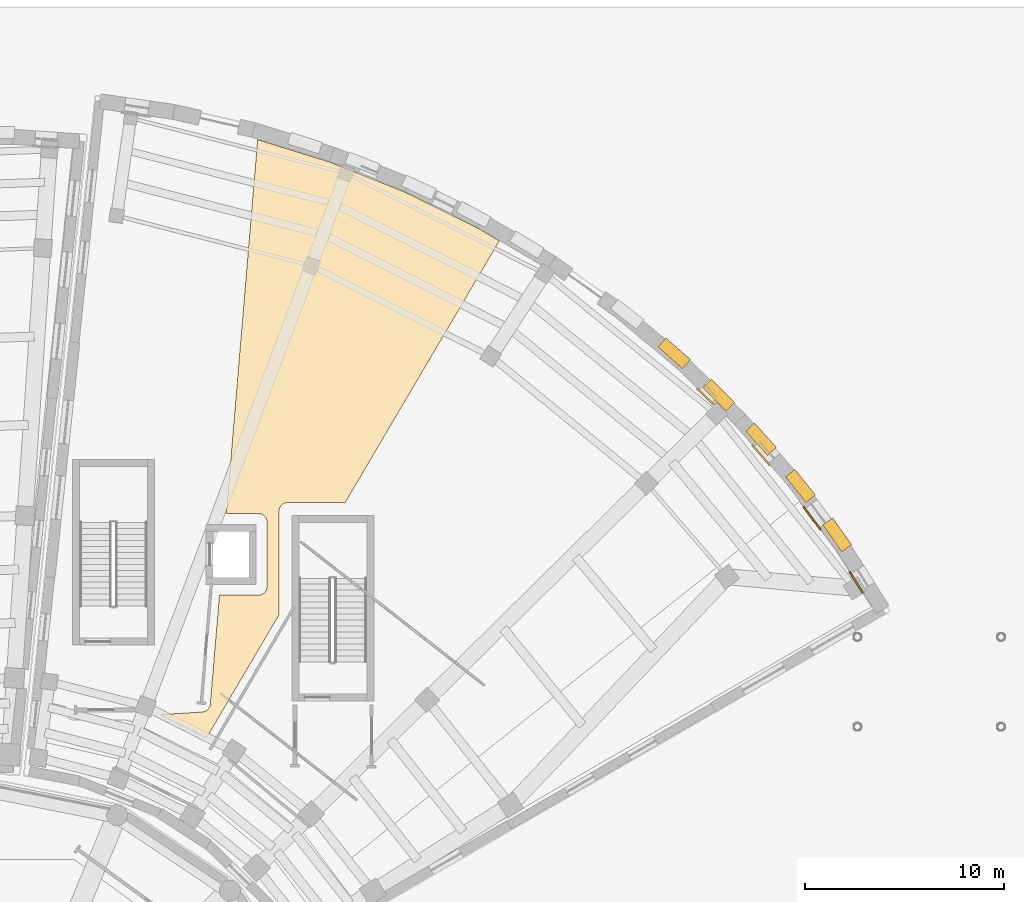
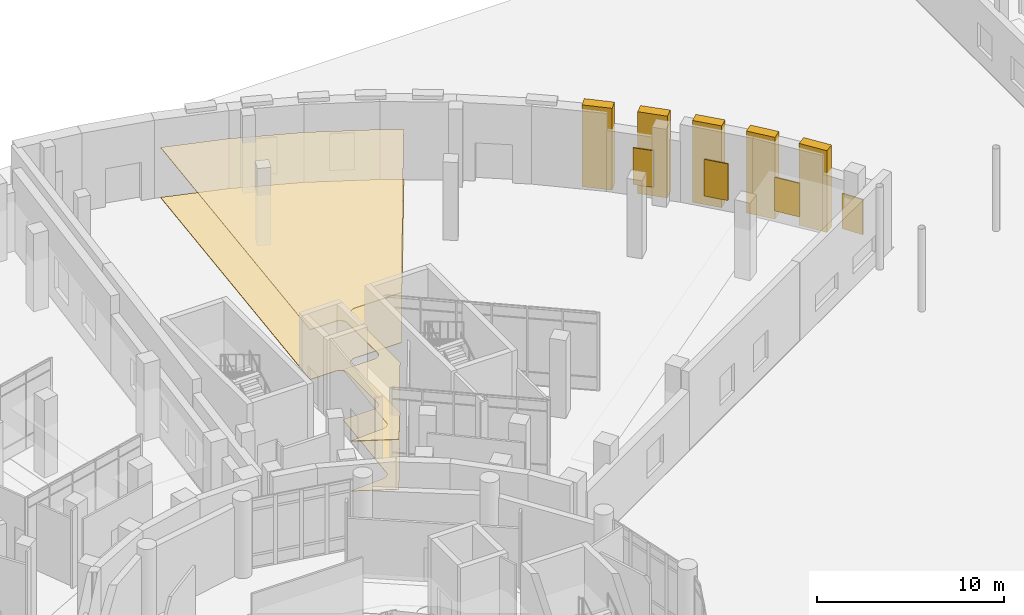
# One storey, part 71 of 74: 11 coverings.
"""IFC4 building model written with IfcOpenShell, lengths in metres."""

from ifc_helpers import new_model, si_unit, direction, frame, origin, origin_2d, place, context, subcontext, project, spatial, polyline, rectangle, outline, extrude, material, layer, layer_set, type_object, element, save


model = new_model("IFC4")

# Units and contexts
model_context = context("Model", 3, precision=1e-05, world=origin(), true_north=direction((0.0, 1.0)))
body_context = subcontext(model_context, "Body", "Model", "MODEL_VIEW")
ifc_project = project(units=[si_unit("LENGTHUNIT", "METRE"), si_unit("AREAUNIT", "SQUARE_METRE"), si_unit("VOLUMEUNIT", "CUBIC_METRE"), si_unit("PLANEANGLEUNIT", "RADIAN"), si_unit("MASSUNIT", "GRAM", prefix="KILO")], contexts=[model_context])

# Site, building, storey
site_placement = place(None, origin())
site = spatial("IfcSite", under=ifc_project, at=site_placement, CompositionType="ELEMENT")
building_placement = place(site_placement, origin())
building = spatial("IfcBuilding", under=site, at=building_placement, Name="Soyqirgoq Riverine Aquarium", CompositionType="ELEMENT")
storey_placement = place(building_placement, origin())
storey = spatial("IfcBuildingStorey", under=building, at=storey_placement, Name="L01", CompositionType="ELEMENT", Elevation=0.0)

# Coverings
ifc_material_1 = material(Name="Perforated mineral-fibre acoustic ceiling", Category="gypsum")
ifc_layer_1 = layer(ifc_material_1, 0.050048828125)
ifc_layer_set_1 = layer_set([ifc_layer_1], Name="Perforated mineral-fibre acoustic ceiling")
covering_type_1 = type_object("IfcCoveringType", Name="AcousticBaffleCeiling_50", PredefinedType="CEILING", material=ifc_layer_set_1)
covering_1_placement = place(storey_placement, frame((0.0, 0.0, 3.25)))
element("IfcCovering", 1, at=covering_1_placement, inside=storey, type_object=covering_type_1, Name="Open Ocean Continental Shelf Hall Suspended Ceiling", PredefinedType="CEILING", context=body_context, shape_type="SweptSolid", body=[
    extrude(outline(polyline([(64.8759765625, 78.16796875), (66.93310546875, 78.2939453125), (66.97607421875, 78.299072265625), (67.01806640625, 78.306884765625), (67.05810546875, 78.320068359375), (67.097900390625, 78.3359375), (67.135986328125, 78.35693359375), (67.1708984375, 78.3798828125), (67.205078125, 78.406982421875), (67.235107421875, 78.43701171875), (67.262939453125, 78.469970703125), (67.287109375, 78.5048828125), (67.30810546875, 78.5419921875), (67.324951171875, 78.5810546875), (67.339111328125, 78.6220703125), (67.347900390625, 78.6630859375), (67.35400390625, 78.7060546875), (67.81103515625, 84.14990234375), (69.75, 84.14990234375), (69.7939453125, 84.152099609375), (69.837890625, 84.158935546875), (69.881103515625, 84.1689453125), (69.922119140625, 84.18408203125), (69.9619140625, 84.202880859375), (70.0, 84.22607421875), (70.034912109375, 84.251953125), (70.068115234375, 84.281982421875), (70.097900390625, 84.31494140625), (70.1240234375, 84.35009765625), (70.14697265625, 84.387939453125), (70.166015625, 84.427978515625), (70.180908203125, 84.468994140625), (70.19091796875, 84.511962890625), (70.197998046875, 84.555908203125), (70.199951171875, 84.60009765625), (70.199951171875, 87.800048828125), (70.197998046875, 87.843994140625), (70.19091796875, 87.887939453125), (70.180908203125, 87.930908203125), (70.166015625, 87.971923828125), (70.14697265625, 88.011962890625), (70.1240234375, 88.050048828125), (70.097900390625, 88.0849609375), (70.068115234375, 88.117919921875), (70.034912109375, 88.14794921875), (70.0, 88.174072265625), (69.9619140625, 88.197021484375), (69.922119140625, 88.216064453125), (69.881103515625, 88.23095703125), (69.837890625, 88.240966796875), (69.7939453125, 88.248046875), (69.75, 88.25), (68.155029296875, 88.25), (69.72705078125, 106.987060546875), (73.30810546875, 105.875), (77.089111328125, 104.366943359375), (80.739990234375, 102.56591796875), (81.840087890625, 101.912109375), (74.116943359375, 88.800048828125), (71.25, 88.800048828125), (71.2060546875, 88.798095703125), (71.162109375, 88.791015625), (71.118896484375, 88.781005859375), (71.077880859375, 88.76611328125), (71.0380859375, 88.7470703125), (71.0, 88.72412109375), (70.965087890625, 88.697998046875), (70.931884765625, 88.66796875), (70.902099609375, 88.635009765625), (70.8759765625, 88.60009765625), (70.85302734375, 88.56201171875), (70.833984375, 88.52197265625), (70.819091796875, 88.48095703125), (70.80908203125, 88.43798828125), (70.802001953125, 88.39404296875), (70.800048828125, 88.35009765625), (70.800048828125, 83.169921875), (67.1650390625, 76.998046875), (64.860107421875, 78.135009765625), (64.8759765625, 78.16796875)])), origin(), (0.0, 0.0, 1.0), 0.050048828125),
])
ifc_material_2 = material(Name="Anodised extruded aluminium sunshade", Category="aluminium")
covering_type_2 = type_object("IfcCoveringType", Name="SolarShadingLouvre_450", PredefinedType="USERDEFINED", material=ifc_material_2)
covering_2_placement = place(storey_placement, frame((92.1591796875, 94.118408203125, 0.75), z_axis=(0.0, 0.0, 1.0), x_axis=(0.716301943425, -0.697790459842, 0.0)))
element("IfcCovering", 2, at=covering_2_placement, inside=storey, type_object=covering_type_2, Name="V5 L01 Travertine Niche Solar Shade 0069", ObjectType="SOLAR_SHADING", PredefinedType="USERDEFINED", context=body_context, shape_type="SweptSolid", body=[
    extrude(rectangle(XDim=1.139892578125, YDim=0.080078125, at=origin_2d()), origin(), (0.0, 0.0, 1.0), 2.39990234375),
])
covering_3_placement = place(storey_placement, frame((94.960205078125, 91.1669921875, 0.75), z_axis=(0.0, 0.0, 1.0), x_axis=(0.6593458151, -0.751839807479, 0.0)))
element("IfcCovering", 3, at=covering_3_placement, inside=storey, type_object=covering_type_2, Name="V5 L01 Travertine Niche Solar Shade 0070", ObjectType="SOLAR_SHADING", PredefinedType="USERDEFINED", context=body_context, shape_type="SweptSolid", body=[
    extrude(rectangle(XDim=1.340087890625, YDim=0.080078125, at=origin_2d()), origin(), (0.0, 0.0, 1.0), 2.39990234375),
])
covering_4_placement = place(storey_placement, frame((97.5205078125, 88.0048828125, 0.75), z_axis=(0.0, 0.0, 1.0), x_axis=(0.598324600571, -0.801253812691, 0.0)))
element("IfcCovering", 4, at=covering_4_placement, inside=storey, type_object=covering_type_2, Name="V5 L01 Travertine Niche Solar Shade 0071", ObjectType="SOLAR_SHADING", PredefinedType="USERDEFINED", context=body_context, shape_type="SweptSolid", body=[
    extrude(rectangle(XDim=1.43994140625, YDim=0.080078125, at=origin_2d()), origin(), (0.0, 0.0, 1.0), 2.199951171875),
])
covering_5_placement = place(storey_placement, frame((99.72900390625, 84.803955078125, 0.75), z_axis=(0.0, 0.0, 1.0), x_axis=(0.533614515916, -0.845727821704, 0.0)))
element("IfcCovering", 5, at=covering_5_placement, inside=storey, type_object=covering_type_2, Name="V5 L01 Travertine Niche Solar Shade 0072", ObjectType="SOLAR_SHADING", PredefinedType="USERDEFINED", context=body_context, shape_type="SweptSolid", body=[
    extrude(rectangle(XDim=1.239990234375, YDim=0.080078125, at=origin_2d()), origin(), (0.0, 0.0, 1.0), 2.300048828125),
])
ifc_material_3 = material(Name="Polished Chirchiq river-pebble terrazzo flooring", Category="concrete")
ifc_layer_2 = layer(ifc_material_3, 0.030029296875)
ifc_layer_set_2 = layer_set([ifc_layer_2], Name="Polished Chirchiq river-pebble terrazzo flooring")
covering_type_3 = type_object("IfcCoveringType", Name="TerrazzoFloorFinish_30", PredefinedType="FLOORING", material=ifc_layer_set_2)
covering_6_placement = place(storey_placement, origin())
element("IfcCovering", 6, at=covering_6_placement, inside=storey, type_object=covering_type_3, Name="Open Ocean Continental Shelf Hall Floor Finish", PredefinedType="FLOORING", context=body_context, shape_type="SweptSolid", body=[
    extrude(outline(polyline([(64.8759765625, 78.16796875), (66.93310546875, 78.2939453125), (66.97607421875, 78.299072265625), (67.01806640625, 78.306884765625), (67.05810546875, 78.320068359375), (67.097900390625, 78.3359375), (67.135986328125, 78.35693359375), (67.1708984375, 78.3798828125), (67.205078125, 78.406982421875), (67.235107421875, 78.43701171875), (67.262939453125, 78.469970703125), (67.287109375, 78.5048828125), (67.30810546875, 78.5419921875), (67.324951171875, 78.5810546875), (67.339111328125, 78.6220703125), (67.347900390625, 78.6630859375), (67.35400390625, 78.7060546875), (67.81103515625, 84.14990234375), (69.75, 84.14990234375), (69.7939453125, 84.152099609375), (69.837890625, 84.158935546875), (69.881103515625, 84.1689453125), (69.922119140625, 84.18408203125), (69.9619140625, 84.202880859375), (70.0, 84.22607421875), (70.034912109375, 84.251953125), (70.068115234375, 84.281982421875), (70.097900390625, 84.31494140625), (70.1240234375, 84.35009765625), (70.14697265625, 84.387939453125), (70.166015625, 84.427978515625), (70.180908203125, 84.468994140625), (70.19091796875, 84.511962890625), (70.197998046875, 84.555908203125), (70.199951171875, 84.60009765625), (70.199951171875, 87.800048828125), (70.197998046875, 87.843994140625), (70.19091796875, 87.887939453125), (70.180908203125, 87.930908203125), (70.166015625, 87.971923828125), (70.14697265625, 88.011962890625), (70.1240234375, 88.050048828125), (70.097900390625, 88.0849609375), (70.068115234375, 88.117919921875), (70.034912109375, 88.14794921875), (70.0, 88.174072265625), (69.9619140625, 88.197021484375), (69.922119140625, 88.216064453125), (69.881103515625, 88.23095703125), (69.837890625, 88.240966796875), (69.7939453125, 88.248046875), (69.75, 88.25), (68.155029296875, 88.25), (69.72705078125, 106.987060546875), (73.30810546875, 105.875), (77.089111328125, 104.366943359375), (80.739990234375, 102.56591796875), (81.840087890625, 101.912109375), (74.116943359375, 88.800048828125), (71.25, 88.800048828125), (71.2060546875, 88.798095703125), (71.162109375, 88.791015625), (71.118896484375, 88.781005859375), (71.077880859375, 88.76611328125), (71.0380859375, 88.7470703125), (71.0, 88.72412109375), (70.965087890625, 88.697998046875), (70.931884765625, 88.66796875), (70.902099609375, 88.635009765625), (70.8759765625, 88.60009765625), (70.85302734375, 88.56201171875), (70.833984375, 88.52197265625), (70.819091796875, 88.48095703125), (70.80908203125, 88.43798828125), (70.802001953125, 88.39404296875), (70.800048828125, 88.35009765625), (70.800048828125, 83.169921875), (67.1650390625, 76.998046875), (64.860107421875, 78.135009765625), (64.8759765625, 78.16796875)])), origin(), (0.0, 0.0, 1.0), 0.030029296875),
])
ifc_material_4 = material(Name="Honed Uzbek travertine limestone vertical niche pier", Category="masonry")
covering_type_4 = type_object("IfcCoveringType", Name="TravertineNichePier_550", PredefinedType="CLADDING", material=ifc_material_4)
for number, where, z_axis, x_axis, name in (
    (7, (98.777587890625, 87.17626953125, 0.0), (0.0, 0.0, 1.0), (0.817144898335, 0.57643231617, 0.0), "V5 L01 Travertine Vertical Niche Pier 118"),
    (8, (96.93896484375, 89.627197265625, 0.0), (0.0, 0.0, 1.0), (0.782064612424, 0.623197353969, 0.0), "V5 L01 Travertine Vertical Niche Pier 119"),
    (9, (94.9599609375, 91.96630859375, 0.0), (0.0, 0.0, 1.0), (0.744194976126, 0.66796245217, 0.0), "V5 L01 Travertine Vertical Niche Pier 120"),
    (10, (92.84765625, 94.185546875, 0.0), (0.0, 0.0, 1.0), (0.703890763003, 0.710308238555, 0.0), "V5 L01 Travertine Vertical Niche Pier 121"),
    (11, (90.609130859375, 96.277587890625, 0.0), (0.0, 0.0, 1.0), (0.661049986881, 0.750341865315, 0.0), "V5 L01 Travertine Vertical Niche Pier 122"),
):
    element("IfcCovering", number, at=place(storey_placement, frame(where, z_axis=z_axis, x_axis=x_axis)), inside=storey, type_object=covering_type_4, Name=name, PredefinedType="CLADDING", context=body_context, shape_type="SweptSolid", body=[
        extrude(rectangle(XDim=0.60009765625, YDim=1.64990234375, at=origin_2d()), origin(), (0.0, 0.0, 1.0), 5.35009765625),
    ])

save(model, "model.ifc")
